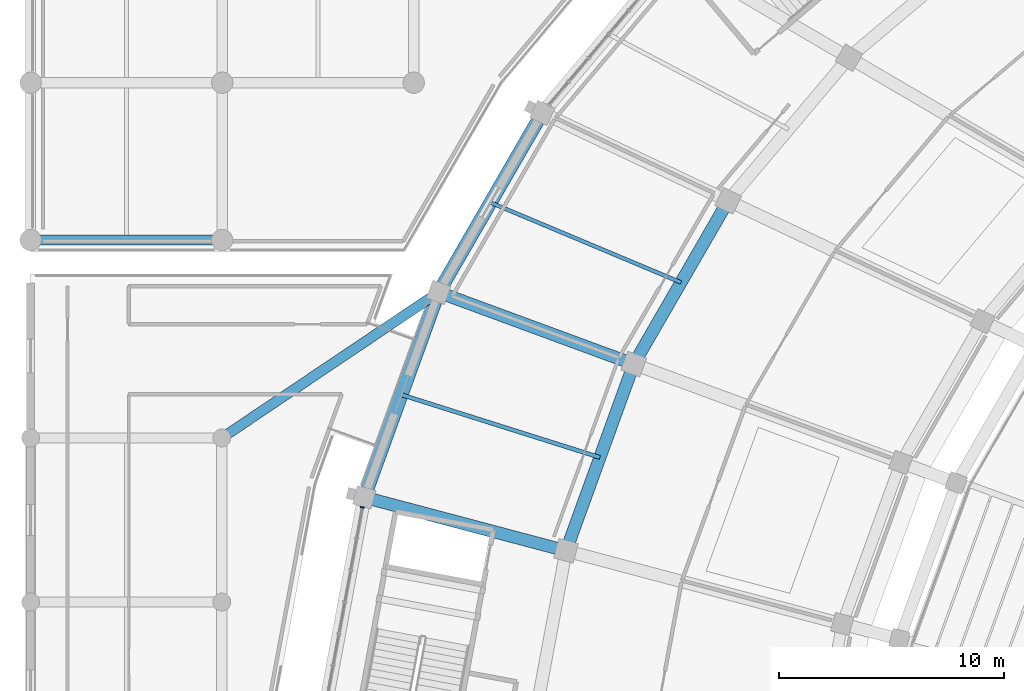
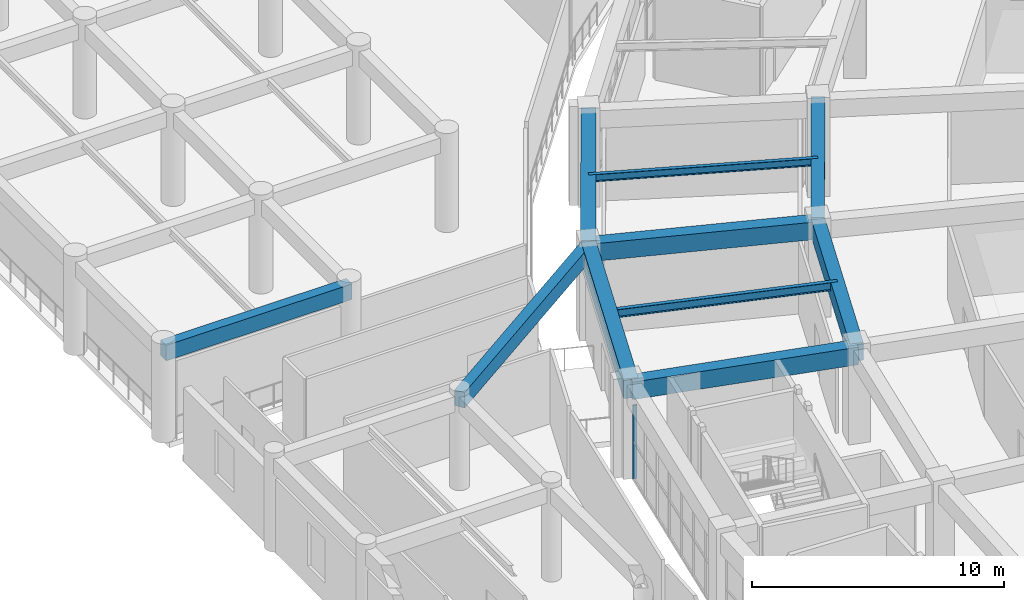
# One storey, part 32 of 152: 10 beams, 1 member, 1 element without a shape of its own.
"""IFC4 building model written with IfcOpenShell, lengths in metres."""

from ifc_helpers import new_model, si_unit, direction, frame, origin, origin_2d, place, context, subcontext, project, spatial, rectangle, i_section, extrude, material, layer, layer_set, material_profile, profile_set, type_object, element, aggregate, save


model = new_model("IFC4")

# Units and contexts
model_context = context("Model", 3, precision=1e-05, world=origin(), true_north=direction((0.0, 1.0)))
body_context = subcontext(model_context, "Body", "Model", "MODEL_VIEW")
ifc_project = project(units=[si_unit("LENGTHUNIT", "METRE"), si_unit("AREAUNIT", "SQUARE_METRE"), si_unit("VOLUMEUNIT", "CUBIC_METRE"), si_unit("PLANEANGLEUNIT", "RADIAN"), si_unit("MASSUNIT", "GRAM", prefix="KILO")], contexts=[model_context])

# Site, building, storey
site_placement = place(None, origin())
site = spatial("IfcSite", under=ifc_project, at=site_placement, CompositionType="ELEMENT")
building_placement = place(site_placement, origin())
building = spatial("IfcBuilding", under=site, at=building_placement, Name="Mphavela Belvedere Stadium", CompositionType="ELEMENT")
storey_placement = place(building_placement, frame((0.0, 0.0, 5.39990234375)))
storey = spatial("IfcBuildingStorey", under=building, at=storey_placement, Name="L01", CompositionType="ELEMENT", Elevation=5.39990234375)

# Beams
ifc_material_1 = material(Name="Concrete C40/50", Category="concrete")
ifc_material_profile_1 = material_profile(ifc_material_1, rectangle(XDim=0.60009765625, YDim=0.949951171875, at=origin_2d()), Name="RC 600x950")
ifc_profile_set_1 = profile_set([ifc_material_profile_1], Name="Concrete C40/50")
beam_type_1 = type_object("IfcBeamType", Name="BM-ENTABLATURE-950", PredefinedType="SPANDREL", material=ifc_profile_set_1)
beam_1_placement = place(storey_placement, frame((22.757568359375, 130.66162109375, 4.0751953125), z_axis=(-0.500565297122, -0.865698783248, 0.0), x_axis=(0.865698783248, -0.500565297122, 0.0)))
element("IfcBeam", 1, at=beam_1_placement, inside=storey, type_object=beam_type_1, Name="Circumferential girder L01 R4-21", PredefinedType="SPANDREL", context=body_context, shape_type="SweptSolid", body=[
    extrude(rectangle(XDim=0.60009765625, YDim=0.949951171875, at=origin_2d()), origin(), (0.0, 0.0, 1.0), 9.217041015625),
])
beam_2_placement = place(storey_placement, frame((18.143798828125, 122.682373046875, 4.0751953125), z_axis=(-0.341017570596, -0.94005692197, 0.0), x_axis=(0.94005692197, -0.341017570596, 0.0)))
element("IfcBeam", 2, at=beam_2_placement, inside=storey, type_object=beam_type_1, Name="Circumferential girder L01 R4-22", PredefinedType="SPANDREL", context=body_context, shape_type="SweptSolid", body=[
    extrude(rectangle(XDim=0.60009765625, YDim=0.949951171875, at=origin_2d()), origin(), (0.0, 0.0, 1.0), 9.701416015625),
])
ifc_material_2 = material(Name="Steel S355", Category="steel")
ifc_material_profile_2 = material_profile(ifc_material_2, i_section(OverallWidth=0.169921875, OverallDepth=0.360107421875, WebThickness=0.008056640625, FlangeThickness=0.0126953125, at=origin_2d()), Name="IPE 360")
ifc_profile_set_2 = profile_set([ifc_material_profile_2], Name="Steel S355")
beam_type_2 = type_object("IfcBeamType", Name="BM-JOIST-IPE360", PredefinedType="JOIST", material=ifc_profile_set_2)
beam_3_placement = place(storey_placement, frame((28.924560546875, 123.116455078125, 4.3701171875), z_axis=(-0.922122234563, 0.386898674751, 0.0), x_axis=(-0.386898674751, -0.922122234563, 0.0)))
element("IfcBeam", 3, at=beam_3_placement, inside=storey, type_object=beam_type_2, Name="Concourse floor joist L01-21", PredefinedType="JOIST", context=body_context, shape_type="SweptSolid", body=[
    extrude(i_section(OverallWidth=0.169921875, OverallDepth=0.360107421875, WebThickness=0.008056640625, FlangeThickness=0.0126953125, at=origin_2d()), origin(), (0.0, 0.0, 1.0), 9.189453125),
])
ifc_material_3 = material(Name="Steel S355", Category="steel")
ifc_material_profile_3 = material_profile(ifc_material_3, i_section(OverallWidth=0.179931640625, OverallDepth=0.39990234375, WebThickness=0.008544921875, FlangeThickness=0.013427734375, at=origin_2d()), Name="IPE 400")
ifc_profile_set_3 = profile_set([ifc_material_profile_3], Name="Steel S355")
beam_type_3 = type_object("IfcBeamType", Name="BM-JOIST-IPE400", PredefinedType="JOIST", material=ifc_profile_set_3)
beam_4_placement = place(storey_placement, frame((25.318359375, 115.3330078125, 4.35009765625), z_axis=(-0.953544002003, 0.301253773826, 0.0), x_axis=(-0.301253773826, -0.953544002003, 0.0)))
element("IfcBeam", 4, at=beam_4_placement, inside=storey, type_object=beam_type_3, Name="Concourse floor joist L01-22", PredefinedType="JOIST", context=body_context, shape_type="SweptSolid", body=[
    extrude(i_section(OverallWidth=0.179931640625, OverallDepth=0.39990234375, WebThickness=0.008544921875, FlangeThickness=0.013427734375, at=origin_2d()), origin(), (0.0, 0.0, 1.0), 9.259033203125),
])
ifc_material_4 = material(Name="Concrete C40/50", Category="concrete")
ifc_material_profile_4 = material_profile(ifc_material_4, rectangle(XDim=0.449951171875, YDim=0.75, at=origin_2d()), Name="RC 450x750")
ifc_profile_set_4 = profile_set([ifc_material_profile_4], Name="Concrete C40/50")
beam_type_4 = type_object("IfcBeamType", Name="BM-RC450x750", PredefinedType="BEAM", material=ifc_profile_set_4)
beam_5_placement = place(storey_placement, frame((0.0, 125.0, 4.1650390625), z_axis=(1.0, 0.0, 0.0), x_axis=(0.0, 1.0, 0.0)))
element("IfcBeam", 5, at=beam_5_placement, inside=storey, type_object=beam_type_4, Name="North Mast and Ceremonial End Forecourt entablature beam X L01 1-1", PredefinedType="BEAM", context=body_context, shape_type="SweptSolid", body=[
    extrude(rectangle(XDim=0.449951171875, YDim=0.75, at=origin_2d()), origin(), (0.0, 0.0, 1.0), 8.51904296875),
])
beam_6_placement = place(storey_placement, frame((8.5, 116.199951171875, 4.1650390625), z_axis=(0.82993028647, 0.557867116436, 0.0), x_axis=(-0.557867116436, 0.82993028647, 0.0)))
element("IfcBeam", 6, at=beam_6_placement, inside=storey, type_object=beam_type_4, Name="West Planted Eaves Peristyle Colonnade bowl link girder L01-6", PredefinedType="BEAM", context=body_context, shape_type="SweptSolid", body=[
    extrude(rectangle(XDim=0.449951171875, YDim=0.75, at=origin_2d()), origin(), (0.0, 0.0, 1.0), 11.6201171875),
])
ifc_material_5 = material(Name="Concrete C40/50", Category="concrete")
ifc_material_profile_5 = material_profile(ifc_material_5, rectangle(XDim=0.550048828125, YDim=0.85009765625, at=origin_2d()), Name="RC 550x850")
ifc_profile_set_5 = profile_set([ifc_material_profile_5], Name="Concrete C40/50")
beam_type_5 = type_object("IfcBeamType", Name="BM-RC550x850", PredefinedType="BEAM", material=ifc_profile_set_5)
beam_7_placement = place(storey_placement, frame((31.0244140625, 126.748291015625, 4.125), z_axis=(-0.500547586322, -0.865709023765, 0.0), x_axis=(0.865709023765, -0.500547586322, 0.0)))
element("IfcBeam", 7, at=beam_7_placement, inside=storey, type_object=beam_type_5, Name="Circumferential girder L01 R3-21", PredefinedType="BEAM", context=body_context, shape_type="SweptSolid", body=[
    extrude(rectangle(XDim=0.550048828125, YDim=0.85009765625, at=origin_2d()), origin(), (0.0, 0.0, 1.0), 8.390625),
])
beam_8_placement = place(storey_placement, frame((26.824462890625, 119.484375, 4.125), z_axis=(-0.341030504348, -0.940052229987, 0.0), x_axis=(0.940052229987, -0.341030504348, 0.0)))
element("IfcBeam", 8, at=beam_8_placement, inside=storey, type_object=beam_type_5, Name="Circumferential girder L01 R3-22", PredefinedType="BEAM", context=body_context, shape_type="SweptSolid", body=[
    extrude(rectangle(XDim=0.550048828125, YDim=0.85009765625, at=origin_2d()), origin(), (0.0, 0.0, 1.0), 8.83203125),
])
beam_9_placement = place(storey_placement, frame((26.824462890625, 119.484375, 4.125), z_axis=(-0.938348073025, 0.345691905967, 0.0), x_axis=(-0.345691905967, -0.938348073025, 0.0)))
element("IfcBeam", 9, at=beam_9_placement, inside=storey, type_object=beam_type_5, Name="Radial concourse girder L01 R3R4-22", PredefinedType="BEAM", context=body_context, shape_type="SweptSolid", body=[
    extrude(rectangle(XDim=0.550048828125, YDim=0.85009765625, at=origin_2d()), origin(), (0.0, 0.0, 1.0), 9.2509765625),
])
beam_10_placement = place(storey_placement, frame((23.8125, 111.181884765625, 4.125), z_axis=(-0.966589609073, 0.256328944196, 0.0), x_axis=(-0.256328944196, -0.966589609073, 0.0)))
element("IfcBeam", 10, at=beam_10_placement, inside=storey, type_object=beam_type_5, Name="Radial concourse girder L01 R3R4-23", PredefinedType="BEAM", context=body_context, shape_type="SweptSolid", body=[
    extrude(rectangle(XDim=0.550048828125, YDim=0.85009765625, at=origin_2d()), origin(), (0.0, 0.0, 1.0), 9.287353515625),
])

# Curtain wall, member
ifc_material_6 = material(Name="Anodised bronze unitised curtain wall framing")
ifc_layer = layer(ifc_material_6, 0.18505859375)
ifc_layer_set = layer_set([ifc_layer], Name="Anodised bronze unitised curtain wall framing")
curtain_wall_type = type_object("IfcCurtainWallType", Name="CW-UNIT-02", PredefinedType="USERDEFINED", material=ifc_layer_set)
curtain_wall_placement = place(storey_placement, origin())
curtain_wall = element("IfcCurtainWall", 11, at=curtain_wall_placement, inside=storey, type_object=curtain_wall_type, Name="Belvedere colonnade curtain wall L01-23", ObjectType="UNITISED CURTAIN WALL", PredefinedType="USERDEFINED")
ifc_material_7 = material(Name="Anodised bronze extruded aluminium", Category="aluminium")
ifc_material_profile_6 = material_profile(ifc_material_7, rectangle(XDim=0.179931640625, YDim=0.06494140625, at=origin_2d()), Name="CW-MUL 180x65")
ifc_profile_set_6 = profile_set([ifc_material_profile_6], Name="Anodised bronze extruded aluminium")
member_type = type_object("IfcMemberType", Name="CWM-180x65", PredefinedType="MULLION", material=ifc_profile_set_6)
member_placement = place(storey_placement, frame((14.752197265625, 113.11474609375, 0.0), z_axis=(0.0, 0.0, 1.0), x_axis=(0.983183659932, -0.182619524814, 0.0)))
member = element("IfcMember", 12, at=member_placement, type_object=member_type, Name="CW-02 mullion 1", PredefinedType="MULLION", context=body_context, shape_type="SweptSolid", body=[
    extrude(rectangle(XDim=0.179931640625, YDim=0.06494140625, at=origin_2d()), origin(), (0.0, 0.0, 1.0), 3.570068359375),
])
aggregate(curtain_wall, [member])

save(model, "model.ifc")
